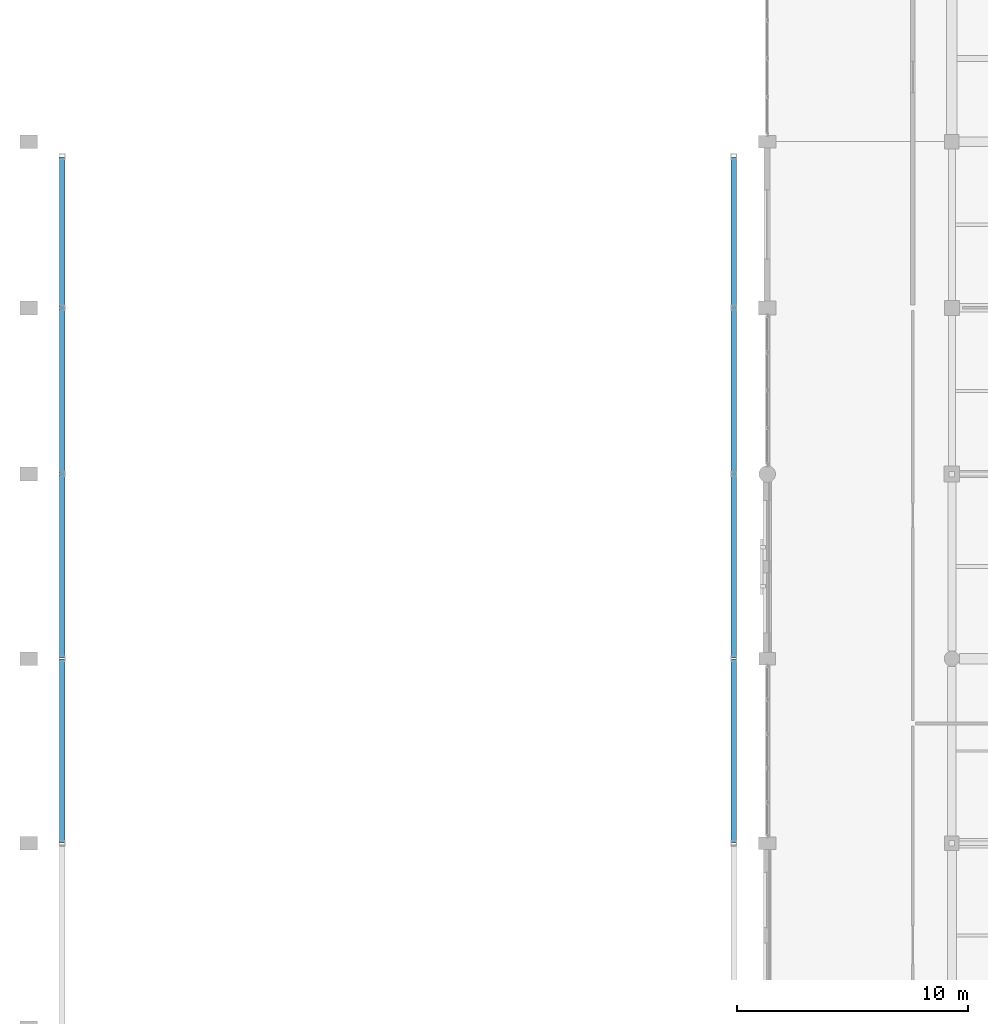
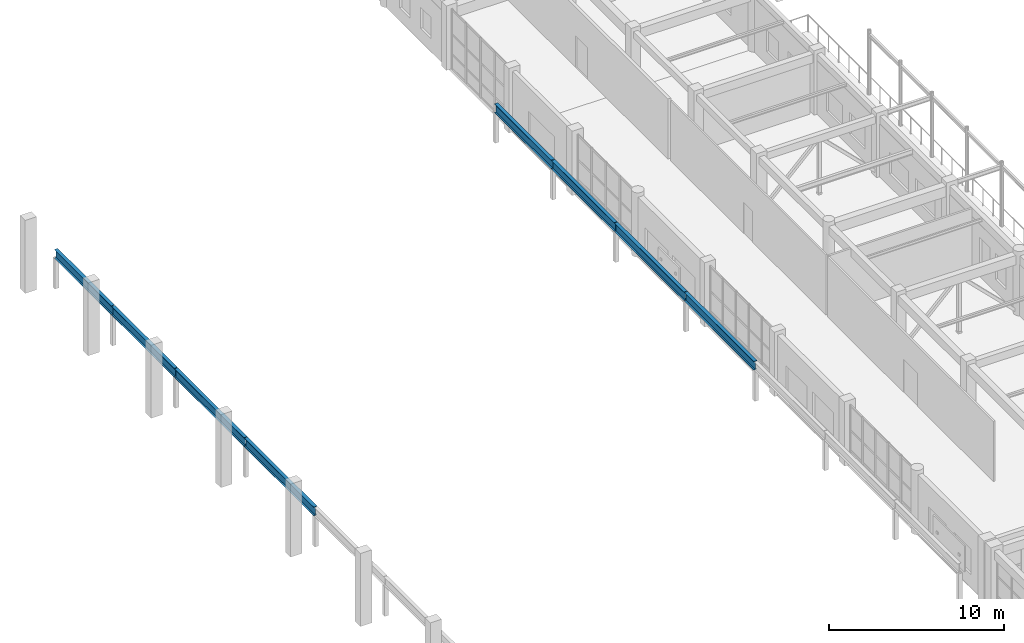
# One storey, part 62 of 160: 8 beams.
"""IFC4 building model written with IfcOpenShell, lengths in metres."""

from ifc_helpers import new_model, si_unit, direction, frame, origin, origin_2d, place, context, subcontext, project, spatial, i_section, extrude, material, material_profile, profile_set, type_object, element, save


model = new_model("IFC4")

# Units and contexts
model_context = context("Model", 3, precision=1e-05, world=origin(), true_north=direction((0.0, 1.0)))
body_context = subcontext(model_context, "Body", "Model", "MODEL_VIEW")
ifc_project = project(units=[si_unit("LENGTHUNIT", "METRE"), si_unit("AREAUNIT", "SQUARE_METRE"), si_unit("VOLUMEUNIT", "CUBIC_METRE"), si_unit("PLANEANGLEUNIT", "RADIAN"), si_unit("MASSUNIT", "GRAM", prefix="KILO")], contexts=[model_context])

# Site, building, storey
site_placement = place(None, origin())
site = spatial("IfcSite", under=ifc_project, at=site_placement, CompositionType="ELEMENT")
building_placement = place(site_placement, origin())
building = spatial("IfcBuilding", under=site, at=building_placement, Name="Kharva Crest Polytechnic", CompositionType="ELEMENT")
storey_placement = place(building_placement, frame((0.0, 0.0, 4.5)))
storey = spatial("IfcBuildingStorey", under=building, at=storey_placement, Name="L01", CompositionType="ELEMENT", Elevation=4.5)

# Beams
ifc_material = material(Name="Steel S355", Category="steel")
ifc_material_profile = material_profile(ifc_material, i_section(OverallWidth=0.22900390625, OverallDepth=0.612060546875, WebThickness=0.011962890625, FlangeThickness=0.01953125, at=origin_2d()), Name="W610X125")
ifc_profile_set = profile_set([ifc_material_profile], Name="Steel S355")
beam_type = type_object("IfcBeamType", Name="BM-STL-W610X125", PredefinedType="USERDEFINED", material=ifc_profile_set)
for number, where, z_axis, x_axis, name in (
    (1, (1.449951171875, 62.820068359375, 2.39404296875), (0.0, 1.0, 0.0), (-1.0, 0.0, 0.0), "L01 Crane Runway Girder W4"),
    (2, (1.449951171875, 70.820068359375, 2.39404296875), (0.0, 1.0, 0.0), (-1.0, 0.0, 0.0), "L01 Crane Runway Girder W5"),
):
    element("IfcBeam", number, at=place(storey_placement, frame(where, z_axis=z_axis, x_axis=x_axis)), inside=storey, type_object=beam_type, Name=name, ObjectType="GANTRY GIRDER", PredefinedType="USERDEFINED", context=body_context, shape_type="SweptSolid", body=[
        extrude(i_section(OverallWidth=0.22900390625, OverallDepth=0.612060546875, WebThickness=0.011962890625, FlangeThickness=0.01953125, at=origin_2d()), origin(), (0.0, 0.0, 1.0), 7.9599609375),
    ])
beam_1_placement = place(storey_placement, frame((1.449951171875, 78.820068359375, 2.39404296875), z_axis=(0.0, 1.0, 0.0), x_axis=(-1.0, 0.0, 0.0)))
element("IfcBeam", 3, at=beam_1_placement, inside=storey, type_object=beam_type, Name="L01 Crane Runway Girder W6", ObjectType="GANTRY GIRDER", PredefinedType="USERDEFINED", context=body_context, shape_type="SweptSolid", body=[
    extrude(i_section(OverallWidth=0.22900390625, OverallDepth=0.612060546875, WebThickness=0.011962890625, FlangeThickness=0.01953125, at=origin_2d()), origin(), (0.0, 0.0, 1.0), 7.159912109375),
])
beam_2_placement = place(storey_placement, frame((1.449951171875, 86.02001953125, 2.39404296875), z_axis=(0.0, 1.0, 0.0), x_axis=(-1.0, 0.0, 0.0)))
element("IfcBeam", 4, at=beam_2_placement, inside=storey, type_object=beam_type, Name="L01 Crane Runway Girder W7", ObjectType="GANTRY GIRDER", PredefinedType="USERDEFINED", context=body_context, shape_type="SweptSolid", body=[
    extrude(i_section(OverallWidth=0.22900390625, OverallDepth=0.612060546875, WebThickness=0.011962890625, FlangeThickness=0.01953125, at=origin_2d()), origin(), (0.0, 0.0, 1.0), 6.510009765625),
])
for number, where, z_axis, x_axis, name in (
    (5, (30.550048828125, 62.820068359375, 2.39404296875), (0.0, 1.0, 0.0), (-1.0, 0.0, 0.0), "L01 Crane Runway Girder E4"),
    (6, (30.550048828125, 70.820068359375, 2.39404296875), (0.0, 1.0, 0.0), (-1.0, 0.0, 0.0), "L01 Crane Runway Girder E5"),
):
    element("IfcBeam", number, at=place(storey_placement, frame(where, z_axis=z_axis, x_axis=x_axis)), inside=storey, type_object=beam_type, Name=name, ObjectType="GANTRY GIRDER", PredefinedType="USERDEFINED", context=body_context, shape_type="SweptSolid", body=[
        extrude(i_section(OverallWidth=0.22900390625, OverallDepth=0.612060546875, WebThickness=0.011962890625, FlangeThickness=0.01953125, at=origin_2d()), origin(), (0.0, 0.0, 1.0), 7.9599609375),
    ])
beam_3_placement = place(storey_placement, frame((30.550048828125, 78.820068359375, 2.39404296875), z_axis=(0.0, 1.0, 0.0), x_axis=(-1.0, 0.0, 0.0)))
element("IfcBeam", 7, at=beam_3_placement, inside=storey, type_object=beam_type, Name="L01 Crane Runway Girder E6", ObjectType="GANTRY GIRDER", PredefinedType="USERDEFINED", context=body_context, shape_type="SweptSolid", body=[
    extrude(i_section(OverallWidth=0.22900390625, OverallDepth=0.612060546875, WebThickness=0.011962890625, FlangeThickness=0.01953125, at=origin_2d()), origin(), (0.0, 0.0, 1.0), 7.159912109375),
])
beam_4_placement = place(storey_placement, frame((30.550048828125, 86.02001953125, 2.39404296875), z_axis=(0.0, 1.0, 0.0), x_axis=(-1.0, 0.0, 0.0)))
element("IfcBeam", 8, at=beam_4_placement, inside=storey, type_object=beam_type, Name="L01 Crane Runway Girder E7", ObjectType="GANTRY GIRDER", PredefinedType="USERDEFINED", context=body_context, shape_type="SweptSolid", body=[
    extrude(i_section(OverallWidth=0.22900390625, OverallDepth=0.612060546875, WebThickness=0.011962890625, FlangeThickness=0.01953125, at=origin_2d()), origin(), (0.0, 0.0, 1.0), 6.510009765625),
])

save(model, "model.ifc")
